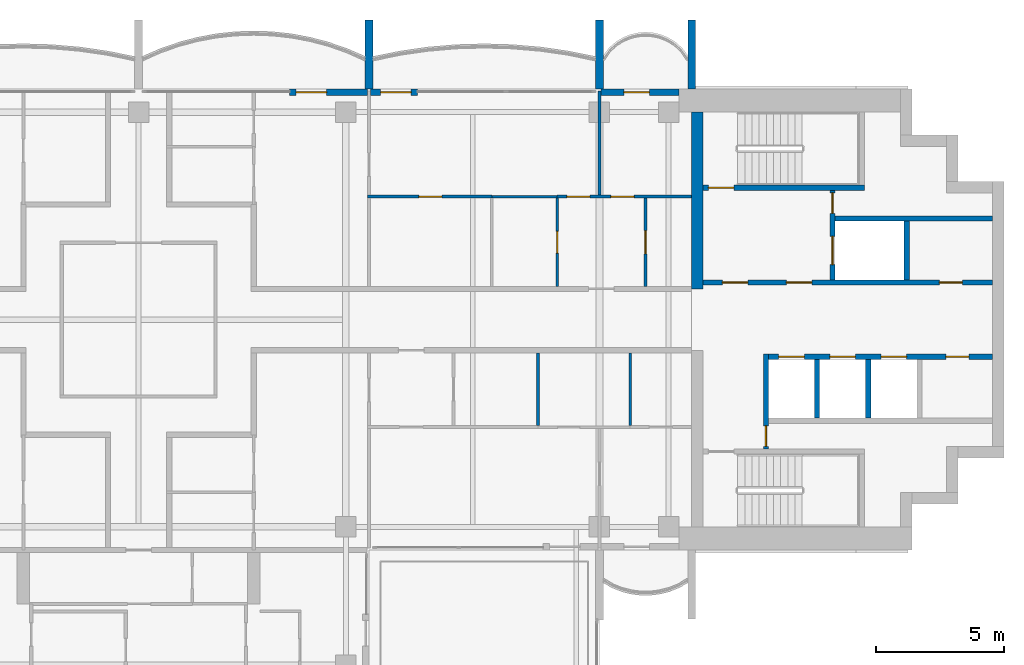
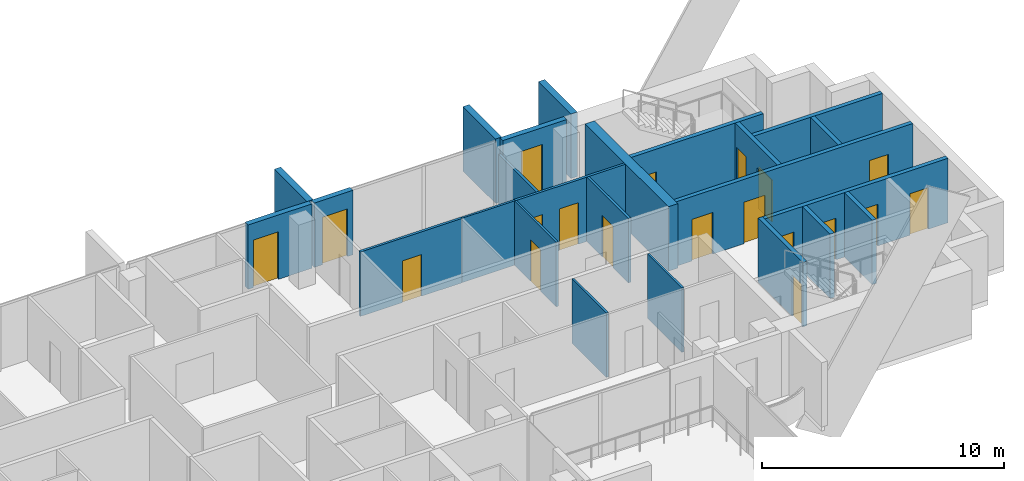
# One storey, part 11 of 16: 24 walls, 19 doors, 19 openings.
"""IFC4 building model written with IfcOpenShell, lengths in metres."""

from ifc_helpers import new_model, si_unit, direction, frame, frame_2d, origin, place, context, subcontext, project, spatial, rectangle, extrude, material, layer, layer_set, type_object, element, fill, save


model = new_model("IFC4")

# Units and contexts
model_context = context("Model", 3, precision=1e-05, world=origin(), true_north=direction((0.0, 1.0)))
body_context = subcontext(model_context, "Body", "Model", "MODEL_VIEW")
ifc_project = project(units=[si_unit("LENGTHUNIT", "METRE"), si_unit("AREAUNIT", "SQUARE_METRE"), si_unit("VOLUMEUNIT", "CUBIC_METRE"), si_unit("PLANEANGLEUNIT", "RADIAN"), si_unit("MASSUNIT", "GRAM", prefix="KILO")], contexts=[model_context])

# Site, building, storey
site_placement = place(None, origin())
site = spatial("IfcSite", under=ifc_project, at=site_placement, CompositionType="ELEMENT")
building_placement = place(site_placement, origin())
building = spatial("IfcBuilding", under=site, at=building_placement, Name="Perihelion Cross Residences", CompositionType="ELEMENT")
storey_placement = place(building_placement, frame((0.0, 0.0, 271.0)))
storey = spatial("IfcBuildingStorey", under=building, at=storey_placement, Name="L69", CompositionType="ELEMENT", Elevation=271.0)

# Wall, opening, door
ifc_material_1 = material(Name="Concrete C30/37, bronze-clad", Category="concrete")
ifc_layer_1 = layer(ifc_material_1, 0.25)
ifc_layer_set_1 = layer_set([ifc_layer_1], Name="Bronze-clad pier wall 250")
wall_type_1 = type_object("IfcWallType", Name="Bronze-clad pier wall 250", PredefinedType="SOLIDWALL", material=ifc_layer_set_1)
wall_1_placement = place(storey_placement, frame((21.10009765625, 8.875, 0.0), z_axis=(0.0, 0.0, 1.0), x_axis=(-1.0, 0.0, 0.0)))
wall_1 = element("IfcWall", 1, at=wall_1_placement, inside=storey, type_object=wall_type_1, Name="Wall FW1 L69 east side north bay 1 pier", PredefinedType="SOLIDWALL", context=body_context, shape_type="SweptSolid", body=[
    extrude(rectangle(XDim=3.0400390625, YDim=0.25, at=frame_2d((1.52001953125, 0.0))), origin(), (0.0, 0.0, 1.0), 3.25),
])
opening_1_placement = place(wall_1_placement, frame((1.14990234375, 0.0, 0.0)))
opening_1 = element("IfcOpeningElement", 2, at=opening_1_placement, cuts=wall_1, Name="Opening L69.E01", PredefinedType="OPENING", context=body_context, shape_type="SweptSolid", body=[
    extrude(rectangle(XDim=1.0, YDim=2.39990234375, at=frame_2d((0.5, 1.199951171875))), frame((0.0, 0.135009765625, 0.0), z_axis=(0.0, -1.0, 0.0), x_axis=(1.0, 0.0, 0.0)), (0.0, 0.0, 1.0), 0.27001953125),
])
ifc_material_2 = material(Name="Bronze anodised aluminium, glazed", Category="aluminium")
door_type_1 = type_object("IfcDoorType", Name="Balcony door 1000 x 2400", OperationType="NOTDEFINED", PredefinedType="DOOR", material=ifc_material_2)
door_1_placement = place(opening_1_placement, origin())
door_1 = element("IfcDoor", 3, at=door_1_placement, inside=storey, type_object=door_type_1, Name="Door L69.E01 east side north bay 1", OperationType="SINGLE_SWING_LEFT", OverallHeight=2.39990234375, OverallWidth=1.0, PredefinedType="DOOR", context=body_context, shape_type="SweptSolid", body=[
    extrude(rectangle(XDim=1.0, YDim=2.39990234375, at=frame_2d((0.5, 1.199951171875))), frame((0.0, 0.02490234375, 0.0), z_axis=(0.0, -1.0, 0.0), x_axis=(1.0, 0.0, 0.0)), (0.0, 0.0, 1.0), 0.050048828125),
])
fill(opening_1, door_1)

wall_2_placement = place(storey_placement, frame((10.89990234375, 8.875, 0.0), z_axis=(0.0, 0.0, 1.0), x_axis=(-1.0, 0.0, 0.0)))
wall_2 = element("IfcWall", 4, at=wall_2_placement, inside=storey, type_object=wall_type_1, Name="Wall FW1 L69 east side north bay 2 pier", PredefinedType="SOLIDWALL", context=body_context, shape_type="SweptSolid", body=[
    extrude(rectangle(XDim=1.83984375, YDim=0.25, at=frame_2d((0.919921875, 0.0))), origin(), (0.0, 0.0, 1.0), 3.25),
])
opening_2_placement = place(wall_2_placement, frame((0.25, 0.0, 0.0)))
opening_2 = element("IfcOpeningElement", 5, at=opening_2_placement, cuts=wall_2, Name="Opening L69.E02", PredefinedType="OPENING", context=body_context, shape_type="SweptSolid", body=[
    extrude(rectangle(XDim=1.199951171875, YDim=2.39990234375, at=frame_2d((0.60009765625, 1.199951171875))), frame((0.0, 0.135009765625, 0.0), z_axis=(0.0, -1.0, 0.0), x_axis=(1.0, 0.0, 0.0)), (0.0, 0.0, 1.0), 0.27001953125),
])
ifc_material_3 = material(Name="Bronze anodised aluminium, glazed", Category="aluminium")
door_type_2 = type_object("IfcDoorType", Name="Balcony door 1200 x 2400", OperationType="NOTDEFINED", PredefinedType="DOOR", material=ifc_material_3)
door_2_placement = place(opening_2_placement, origin())
door_2 = element("IfcDoor", 6, at=door_2_placement, inside=storey, type_object=door_type_2, Name="Door L69.E02 east side north bay 2", OperationType="SINGLE_SWING_RIGHT", OverallHeight=2.39990234375, OverallWidth=1.199951171875, PredefinedType="DOOR", context=body_context, shape_type="SweptSolid", body=[
    extrude(rectangle(XDim=1.199951171875, YDim=2.39990234375, at=frame_2d((0.60009765625, 1.199951171875))), frame((0.0, 0.02490234375, 0.0), z_axis=(0.0, -1.0, 0.0), x_axis=(1.0, 0.0, 0.0)), (0.0, 0.0, 1.0), 0.050048828125),
])
fill(opening_2, door_2)

wall_3_placement = place(storey_placement, frame((8.93994140625, 8.875, 0.0), z_axis=(0.0, 0.0, 1.0), x_axis=(-1.0, 0.0, 0.0)))
wall_3 = element("IfcWall", 7, at=wall_3_placement, inside=storey, type_object=wall_type_1, Name="Wall FW1 L69 north side east bay 1 pier", PredefinedType="SOLIDWALL", context=body_context, shape_type="SweptSolid", body=[
    extrude(rectangle(XDim=3.0400390625, YDim=0.25, at=frame_2d((1.52001953125, 0.0))), origin(), (0.0, 0.0, 1.0), 3.25),
])
opening_3_placement = place(wall_3_placement, frame((1.590087890625, 0.0, 0.0)))
opening_3 = element("IfcOpeningElement", 8, at=opening_3_placement, cuts=wall_3, Name="Opening L69.E03", PredefinedType="OPENING", context=body_context, shape_type="SweptSolid", body=[
    extrude(rectangle(XDim=1.199951171875, YDim=2.39990234375, at=frame_2d((0.60009765625, 1.199951171875))), frame((0.0, 0.135009765625, 0.0), z_axis=(0.0, -1.0, 0.0), x_axis=(1.0, 0.0, 0.0)), (0.0, 0.0, 1.0), 0.27001953125),
])
door_3_placement = place(opening_3_placement, origin())
door_3 = element("IfcDoor", 9, at=door_3_placement, inside=storey, type_object=door_type_2, Name="Door L69.E03 north side east bay 1", OperationType="SINGLE_SWING_LEFT", OverallHeight=2.39990234375, OverallWidth=1.199951171875, PredefinedType="DOOR", context=body_context, shape_type="SweptSolid", body=[
    extrude(rectangle(XDim=1.199951171875, YDim=2.39990234375, at=frame_2d((0.60009765625, 1.199951171875))), frame((0.0, 0.02490234375, 0.0), z_axis=(0.0, -1.0, 0.0), x_axis=(1.0, 0.0, 0.0)), (0.0, 0.0, 1.0), 0.050048828125),
])
fill(opening_3, door_3)

# Wall
ifc_material_4 = material(Name="Concrete C60/75", Category="concrete")
ifc_layer_2 = layer(ifc_material_4, 0.449951171875)
ifc_layer_set_2 = layer_set([ifc_layer_2], Name="Core wall, inner 450")
wall_type_2 = type_object("IfcWallType", Name="Core wall, inner 450", PredefinedType="SHEAR", material=ifc_layer_set_2)
wall_4_placement = place(storey_placement, frame((21.824951171875, 1.199951171875, 0.0), z_axis=(0.0, 0.0, 1.0), x_axis=(0.0, 1.0, 0.0)))
element("IfcWall", 10, at=wall_4_placement, inside=storey, type_object=wall_type_2, Name="East core core wall, inner", PredefinedType="SHEAR", context=body_context, shape_type="SweptSolid", body=[
    extrude(rectangle(XDim=6.900146484375, YDim=0.449951171875, at=frame_2d((3.4501953125, 0.0))), origin(), (0.0, 0.0, 1.0), 3.25),
])

# Wall, opening, door
ifc_material_5 = material(Name="Concrete C50/60", Category="concrete")
ifc_layer_3 = layer(ifc_material_5, 0.199951171875)
ifc_layer_set_3 = layer_set([ifc_layer_3], Name="Lobby wall 200")
wall_type_3 = type_object("IfcWallType", Name="Lobby wall 200", PredefinedType="SOLIDWALL", material=ifc_layer_set_3)
wall_5_placement = place(storey_placement, frame((24.5, -5.050048828125, 0.0), z_axis=(0.0, 0.0, 1.0), x_axis=(0.0, 1.0, 0.0)))
wall_5 = element("IfcWall", 11, at=wall_5_placement, inside=storey, type_object=wall_type_3, Name="East core lobby wall", PredefinedType="SOLIDWALL", context=body_context, shape_type="SweptSolid", body=[
    extrude(rectangle(XDim=3.699951171875, YDim=0.199951171875, at=frame_2d((1.85009765625, 0.0))), origin(), (0.0, 0.0, 1.0), 3.25),
])
opening_4_placement = place(wall_5_placement, frame((0.10009765625, 0.0, 0.0)))
opening_4 = element("IfcOpeningElement", 12, at=opening_4_placement, cuts=wall_5, Name="Opening L69.C08", PredefinedType="OPENING", context=body_context, shape_type="SweptSolid", body=[
    extrude(rectangle(XDim=0.800048828125, YDim=2.10009765625, at=frame_2d((0.39990234375, 1.050048828125))), frame((0.0, 0.10986328125, 0.0), z_axis=(0.0, -1.0, 0.0), x_axis=(1.0, 0.0, 0.0)), (0.0, 0.0, 1.0), 0.219970703125),
])
ifc_material_6 = material(Name="Steel, powder coated", Category="steel")
door_type_3 = type_object("IfcDoorType", Name="Riser door 800", OperationType="SINGLE_SWING_LEFT", PredefinedType="DOOR", material=ifc_material_6)
door_4_placement = place(opening_4_placement, origin())
door_4 = element("IfcDoor", 13, at=door_4_placement, inside=storey, type_object=door_type_3, Name="East core riser door", OperationType="SINGLE_SWING_LEFT", OverallHeight=2.10009765625, OverallWidth=0.800048828125, PredefinedType="DOOR", context=body_context, shape_type="SweptSolid", body=[
    extrude(rectangle(XDim=0.800048828125, YDim=2.10009765625, at=frame_2d((0.39990234375, 1.050048828125))), frame((0.0, 0.02490234375, 0.0), z_axis=(0.0, -1.0, 0.0), x_axis=(1.0, 0.0, 0.0)), (0.0, 0.0, 1.0), 0.050048828125),
])
fill(opening_4, door_4)

ifc_material_7 = material(Name="Plasterboard partition")
ifc_layer_4 = layer(ifc_material_7, 0.1201171875)
ifc_layer_set_4 = layer_set([ifc_layer_4], Name="Partition wall 120")
wall_type_4 = type_object("IfcWallType", Name="Partition wall 120", PredefinedType="PARTITIONING", material=ifc_layer_set_4)
wall_6_placement = place(storey_placement, frame((8.93994140625, 4.800048828125, 0.0), z_axis=(0.0, 0.0, 1.0), x_axis=(1.0, 0.0, 0.0)))
wall_6 = element("IfcWall", 14, at=wall_6_placement, inside=storey, type_object=wall_type_4, Name="Partition L69 W023", PredefinedType="PARTITIONING", context=body_context, shape_type="SweptSolid", body=[
    extrude(rectangle(XDim=4.860107421875, YDim=0.1201171875, at=frame_2d((2.43017578125, 0.0))), origin(), (0.0, 0.0, 1.0), 3.25),
])
opening_5_placement = place(wall_6_placement, frame((2.010009765625, 0.0, 0.0)))
opening_5 = element("IfcOpeningElement", 15, at=opening_5_placement, cuts=wall_6, Name="Opening L69.A05", PredefinedType="OPENING", context=body_context, shape_type="SweptSolid", body=[
    extrude(rectangle(XDim=0.89990234375, YDim=2.10009765625, at=frame_2d((0.449951171875, 1.050048828125))), frame((0.0, 0.070068359375, 0.0), z_axis=(0.0, -1.0, 0.0), x_axis=(1.0, 0.0, 0.0)), (0.0, 0.0, 1.0), 0.14013671875),
])
ifc_material_8 = material(Name="Timber door leaf", Category="wood")
door_type_4 = type_object("IfcDoorType", Name="Interior room door 900 x 2100", OperationType="SINGLE_SWING_LEFT", PredefinedType="DOOR", material=ifc_material_8)
door_5_placement = place(opening_5_placement, origin())
door_5 = element("IfcDoor", 16, at=door_5_placement, inside=storey, type_object=door_type_4, Name="Door L69.A05", OperationType="SINGLE_SWING_RIGHT", OverallHeight=2.10009765625, OverallWidth=0.89990234375, PredefinedType="DOOR", context=body_context, shape_type="SweptSolid", body=[
    extrude(rectangle(XDim=0.89990234375, YDim=2.10009765625, at=frame_2d((0.449951171875, 1.050048828125))), frame((0.0, 0.02490234375, 0.0), z_axis=(0.0, -1.0, 0.0), x_axis=(1.0, 0.0, 0.0)), (0.0, 0.0, 1.0), 0.050048828125),
])
fill(opening_5, door_5)

wall_7_placement = place(storey_placement, frame((19.800048828125, 4.739990234375, 0.0), z_axis=(0.0, 0.0, 1.0), x_axis=(0.0, -1.0, 0.0)))
wall_7 = element("IfcWall", 17, at=wall_7_placement, inside=storey, type_object=wall_type_4, Name="Partition L69 W027", PredefinedType="PARTITIONING", context=body_context, shape_type="SweptSolid", body=[
    extrude(rectangle(XDim=3.43994140625, YDim=0.1201171875, at=frame_2d((1.719970703125, 0.0))), origin(), (0.0, 0.0, 1.0), 3.25),
])
opening_6_placement = place(wall_7_placement, frame((1.27001953125, 0.0, 0.0)))
opening_6 = element("IfcOpeningElement", 18, at=opening_6_placement, cuts=wall_7, Name="Opening L69.A09", PredefinedType="OPENING", context=body_context, shape_type="SweptSolid", body=[
    extrude(rectangle(XDim=0.89990234375, YDim=2.10009765625, at=frame_2d((0.449951171875, 1.050048828125))), frame((0.0, 0.070068359375, 0.0), z_axis=(0.0, -1.0, 0.0), x_axis=(1.0, 0.0, 0.0)), (0.0, 0.0, 1.0), 0.14013671875),
])
door_6_placement = place(opening_6_placement, origin())
door_6 = element("IfcDoor", 19, at=door_6_placement, inside=storey, type_object=door_type_4, Name="Door L69.A09", OperationType="SINGLE_SWING_RIGHT", OverallHeight=2.10009765625, OverallWidth=0.89990234375, PredefinedType="DOOR", context=body_context, shape_type="SweptSolid", body=[
    extrude(rectangle(XDim=0.89990234375, YDim=2.10009765625, at=frame_2d((0.449951171875, 1.050048828125))), frame((0.0, 0.02490234375, 0.0), z_axis=(0.0, -1.0, 0.0), x_axis=(1.0, 0.0, 0.0)), (0.0, 0.0, 1.0), 0.050048828125),
])
fill(opening_6, door_6)

# Wall, openings, doors
wall_8_placement = place(storey_placement, frame((16.35009765625, 4.800048828125, 0.0), z_axis=(0.0, 0.0, 1.0), x_axis=(1.0, 0.0, 0.0)))
wall_8 = element("IfcWall", 20, at=wall_8_placement, inside=storey, type_object=wall_type_4, Name="Partition L69 W028", PredefinedType="PARTITIONING", context=body_context, shape_type="SweptSolid", body=[
    extrude(rectangle(XDim=5.25, YDim=0.1201171875, at=frame_2d((2.625, 0.0))), origin(), (0.0, 0.0, 1.0), 3.25),
])
opening_7_placement = place(wall_8_placement, frame((2.10009765625, 0.0, 0.0)))
opening_7 = element("IfcOpeningElement", 21, at=opening_7_placement, cuts=wall_8, Name="Opening L69.A07", PredefinedType="OPENING", context=body_context, shape_type="SweptSolid", body=[
    extrude(rectangle(XDim=0.89990234375, YDim=2.10009765625, at=frame_2d((0.449951171875, 1.050048828125))), frame((0.0, 0.070068359375, 0.0), z_axis=(0.0, -1.0, 0.0), x_axis=(1.0, 0.0, 0.0)), (0.0, 0.0, 1.0), 0.14013671875),
])
opening_8_placement = place(wall_8_placement, frame((0.375, 0.0, 0.0)))
opening_8 = element("IfcOpeningElement", 22, at=opening_8_placement, cuts=wall_8, Name="Opening L69.A08", PredefinedType="OPENING", context=body_context, shape_type="SweptSolid", body=[
    extrude(rectangle(XDim=0.89990234375, YDim=2.10009765625, at=frame_2d((0.449951171875, 1.050048828125))), frame((0.0, 0.070068359375, 0.0), z_axis=(0.0, -1.0, 0.0), x_axis=(1.0, 0.0, 0.0)), (0.0, 0.0, 1.0), 0.14013671875),
])
door_7_placement = place(opening_7_placement, origin())
door_7 = element("IfcDoor", 23, at=door_7_placement, inside=storey, type_object=door_type_4, Name="Door L69.A07", OperationType="SINGLE_SWING_LEFT", OverallHeight=2.10009765625, OverallWidth=0.89990234375, PredefinedType="DOOR", context=body_context, shape_type="SweptSolid", body=[
    extrude(rectangle(XDim=0.89990234375, YDim=2.10009765625, at=frame_2d((0.449951171875, 1.050048828125))), frame((0.0, 0.02490234375, 0.0), z_axis=(0.0, -1.0, 0.0), x_axis=(1.0, 0.0, 0.0)), (0.0, 0.0, 1.0), 0.050048828125),
])
fill(opening_7, door_7)
door_8_placement = place(opening_8_placement, origin())
door_8 = element("IfcDoor", 24, at=door_8_placement, inside=storey, type_object=door_type_4, Name="Door L69.A08", OperationType="SINGLE_SWING_RIGHT", OverallHeight=2.10009765625, OverallWidth=0.89990234375, PredefinedType="DOOR", context=body_context, shape_type="SweptSolid", body=[
    extrude(rectangle(XDim=0.89990234375, YDim=2.10009765625, at=frame_2d((0.449951171875, 1.050048828125))), frame((0.0, 0.02490234375, 0.0), z_axis=(0.0, -1.0, 0.0), x_axis=(1.0, 0.0, 0.0)), (0.0, 0.0, 1.0), 0.050048828125),
])
fill(opening_8, door_8)

# Walls
wall_9_placement = place(storey_placement, frame((18.0, 8.919921875, 0.0), z_axis=(0.0, 0.0, 1.0), x_axis=(0.0, -1.0, 0.0)))
element("IfcWall", 25, at=wall_9_placement, inside=storey, type_object=wall_type_4, Name="Partition L69 W029", PredefinedType="PARTITIONING", context=body_context, shape_type="SweptSolid", body=[
    extrude(rectangle(XDim=4.059814453125, YDim=0.1201171875, at=frame_2d((2.02978515625, 0.0))), origin(), (0.0, 0.0, 1.0), 2.49609375),
])
ifc_material_9 = material(Name="Precast concrete C50/60", Category="concrete")
ifc_layer_5 = layer(ifc_material_9, 0.300048828125)
ifc_layer_set_5 = layer_set([ifc_layer_5], Name="Precast concrete C50/60 blade wall 300")
wall_type_5 = type_object("IfcWallType", Name="Precast concrete C50/60 blade wall 300", PredefinedType="SOLIDWALL", material=ifc_layer_set_5)
for number, where, z_axis, x_axis, name in (
    (26, (9.0, 9.0, 0.0), (0.0, 0.0, 1.0), (0.0, 1.0, 0.0), "Wall BL1 L69 no. 16"),
    (27, (18.0, 9.0, 0.0), (0.0, 0.0, 1.0), (0.0, 1.0, 0.0), "Wall BL1 L69 no. 11"),
    (28, (21.60009765625, 9.0, 0.0), (0.0, 0.0, 1.0), (0.0, 1.0, 0.0), "Wall BL1 L69 no. 13"),
):
    element("IfcWall", number, at=place(storey_placement, frame(where, z_axis=z_axis, x_axis=x_axis)), inside=storey, type_object=wall_type_5, Name=name, PredefinedType="SOLIDWALL", context=body_context, shape_type="SweptSolid", body=[
        extrude(rectangle(XDim=2.699951171875, YDim=0.300048828125, at=frame_2d((1.35009765625, 0.0))), origin(), (0.0, 0.0, 1.0), 3.25),
    ])

# Wall, openings, doors
ifc_material_10 = material(Name="Concrete C50/60", Category="concrete")
ifc_layer_6 = layer(ifc_material_10, 0.199951171875)
ifc_layer_set_6 = layer_set([ifc_layer_6], Name="Shaft wall 200")
wall_type_6 = type_object("IfcWallType", Name="Shaft wall 200", PredefinedType="SOLIDWALL", material=ifc_layer_set_6)
wall_10_placement = place(storey_placement, frame((22.050048828125, 1.449951171875, 0.0), z_axis=(0.0, 0.0, 1.0), x_axis=(1.0, 0.0, 0.0)))
wall_10 = element("IfcWall", 29, at=wall_10_placement, inside=storey, type_object=wall_type_6, Name="East core shaft wall", PredefinedType="SOLIDWALL", context=body_context, shape_type="SweptSolid", body=[
    extrude(rectangle(XDim=11.300048828125, YDim=0.199951171875, at=frame_2d((5.64990234375, 0.0))), origin(), (0.0, 0.0, 1.0), 3.25),
])
opening_9_placement = place(wall_10_placement, frame((0.75, 0.0, 0.0)))
opening_9 = element("IfcOpeningElement", 30, at=opening_9_placement, cuts=wall_10, Name="Opening L69.C07", PredefinedType="OPENING", context=body_context, shape_type="SweptSolid", body=[
    extrude(rectangle(XDim=1.0, YDim=2.10009765625, at=frame_2d((0.5, 1.050048828125))), frame((0.0, 0.10986328125, 0.0), z_axis=(0.0, -1.0, 0.0), x_axis=(1.0, 0.0, 0.0)), (0.0, 0.0, 1.0), 0.219970703125),
])
opening_10_placement = place(wall_10_placement, frame((3.25, 0.0, 0.0)))
opening_10 = element("IfcOpeningElement", 31, at=opening_10_placement, cuts=wall_10, Name="Opening L69.C09", PredefinedType="OPENING", context=body_context, shape_type="SweptSolid", body=[
    extrude(rectangle(XDim=1.0, YDim=2.10009765625, at=frame_2d((0.5, 1.050048828125))), frame((0.0, 0.10986328125, 0.0), z_axis=(0.0, -1.0, 0.0), x_axis=(1.0, 0.0, 0.0)), (0.0, 0.0, 1.0), 0.219970703125),
])
opening_11_placement = place(wall_10_placement, frame((9.22509765625, 0.0, 0.0)))
opening_11 = element("IfcOpeningElement", 32, at=opening_11_placement, cuts=wall_10, Name="Opening L69.C11", PredefinedType="OPENING", context=body_context, shape_type="SweptSolid", body=[
    extrude(rectangle(XDim=0.89990234375, YDim=2.10009765625, at=frame_2d((0.449951171875, 1.050048828125))), frame((0.0, 0.10986328125, 0.0), z_axis=(0.0, -1.0, 0.0), x_axis=(1.0, 0.0, 0.0)), (0.0, 0.0, 1.0), 0.219970703125),
])
ifc_material_11 = material(Name="Steel, powder coated", Category="steel")
door_type_5 = type_object("IfcDoorType", Name="Lobby door 1000", OperationType="SINGLE_SWING_LEFT", PredefinedType="DOOR", material=ifc_material_11)
door_9_placement = place(opening_9_placement, origin())
door_9 = element("IfcDoor", 33, at=door_9_placement, inside=storey, type_object=door_type_5, Name="East core firefighting lobby door", OperationType="SINGLE_SWING_LEFT", OverallHeight=2.10009765625, OverallWidth=1.0, PredefinedType="DOOR", context=body_context, shape_type="SweptSolid", body=[
    extrude(rectangle(XDim=1.0, YDim=2.10009765625, at=frame_2d((0.5, 1.050048828125))), frame((0.0, 0.02490234375, 0.0), z_axis=(0.0, -1.0, 0.0), x_axis=(1.0, 0.0, 0.0)), (0.0, 0.0, 1.0), 0.050048828125),
])
fill(opening_9, door_9)
door_10_placement = place(opening_10_placement, origin())
door_10 = element("IfcDoor", 34, at=door_10_placement, inside=storey, type_object=door_type_5, Name="East core firefighting lobby door", OperationType="SINGLE_SWING_LEFT", OverallHeight=2.10009765625, OverallWidth=1.0, PredefinedType="DOOR", context=body_context, shape_type="SweptSolid", body=[
    extrude(rectangle(XDim=1.0, YDim=2.10009765625, at=frame_2d((0.5, 1.050048828125))), frame((0.0, 0.02490234375, 0.0), z_axis=(0.0, -1.0, 0.0), x_axis=(1.0, 0.0, 0.0)), (0.0, 0.0, 1.0), 0.050048828125),
])
fill(opening_10, door_10)
ifc_material_12 = material(Name="Steel, powder coated", Category="steel")
door_type_6 = type_object("IfcDoorType", Name="Service room door 900", OperationType="SINGLE_SWING_LEFT", PredefinedType="DOOR", material=ifc_material_12)
door_11_placement = place(opening_11_placement, origin())
door_11 = element("IfcDoor", 35, at=door_11_placement, inside=storey, type_object=door_type_6, Name="East core service room door", OperationType="SINGLE_SWING_LEFT", OverallHeight=2.10009765625, OverallWidth=0.89990234375, PredefinedType="DOOR", context=body_context, shape_type="SweptSolid", body=[
    extrude(rectangle(XDim=0.89990234375, YDim=2.10009765625, at=frame_2d((0.449951171875, 1.050048828125))), frame((0.0, 0.02490234375, 0.0), z_axis=(0.0, -1.0, 0.0), x_axis=(1.0, 0.0, 0.0)), (0.0, 0.0, 1.0), 0.050048828125),
])
fill(opening_11, door_11)

wall_11_placement = place(storey_placement, frame((24.60009765625, -1.449951171875, 0.0), z_axis=(0.0, 0.0, 1.0), x_axis=(1.0, 0.0, 0.0)))
wall_11 = element("IfcWall", 36, at=wall_11_placement, inside=storey, type_object=wall_type_6, Name="East core shaft wall", PredefinedType="SOLIDWALL", context=body_context, shape_type="SweptSolid", body=[
    extrude(rectangle(XDim=8.75, YDim=0.199951171875, at=frame_2d((4.375, 0.0))), origin(), (0.0, 0.0, 1.0), 3.25),
])
opening_12_placement = place(wall_11_placement, frame((0.39990234375, 0.0, 0.0)))
opening_12 = element("IfcOpeningElement", 37, at=opening_12_placement, cuts=wall_11, Name="Opening L69.C01", PredefinedType="OPENING", context=body_context, shape_type="SweptSolid", body=[
    extrude(rectangle(XDim=1.0, YDim=2.10009765625, at=frame_2d((0.5, 1.050048828125))), frame((0.0, 0.10986328125, 0.0), z_axis=(0.0, -1.0, 0.0), x_axis=(1.0, 0.0, 0.0)), (0.0, 0.0, 1.0), 0.219970703125),
])
opening_13_placement = place(wall_11_placement, frame((2.39990234375, 0.0, 0.0)))
opening_13 = element("IfcOpeningElement", 38, at=opening_13_placement, cuts=wall_11, Name="Opening L69.C03", PredefinedType="OPENING", context=body_context, shape_type="SweptSolid", body=[
    extrude(rectangle(XDim=1.0, YDim=2.10009765625, at=frame_2d((0.5, 1.050048828125))), frame((0.0, 0.10986328125, 0.0), z_axis=(0.0, -1.0, 0.0), x_axis=(1.0, 0.0, 0.0)), (0.0, 0.0, 1.0), 0.219970703125),
])
opening_14_placement = place(wall_11_placement, frame((4.39990234375, 0.0, 0.0)))
opening_14 = element("IfcOpeningElement", 39, at=opening_14_placement, cuts=wall_11, Name="Opening L69.C04", PredefinedType="OPENING", context=body_context, shape_type="SweptSolid", body=[
    extrude(rectangle(XDim=1.0, YDim=2.10009765625, at=frame_2d((0.5, 1.050048828125))), frame((0.0, 0.10986328125, 0.0), z_axis=(0.0, -1.0, 0.0), x_axis=(1.0, 0.0, 0.0)), (0.0, 0.0, 1.0), 0.219970703125),
])
opening_15_placement = place(wall_11_placement, frame((6.925048828125, 0.0, 0.0)))
opening_15 = element("IfcOpeningElement", 40, at=opening_15_placement, cuts=wall_11, Name="Opening L69.C12", PredefinedType="OPENING", context=body_context, shape_type="SweptSolid", body=[
    extrude(rectangle(XDim=0.89990234375, YDim=2.10009765625, at=frame_2d((0.449951171875, 1.050048828125))), frame((0.0, 0.10986328125, 0.0), z_axis=(0.0, -1.0, 0.0), x_axis=(1.0, 0.0, 0.0)), (0.0, 0.0, 1.0), 0.219970703125),
])
ifc_material_13 = material(Name="Stainless steel", Category="steel")
door_type_7 = type_object("IfcDoorType", Name="Landing door 1000", OperationType="DOUBLE_DOOR_SLIDING", PredefinedType="DOOR", material=ifc_material_13)
door_12_placement = place(opening_12_placement, origin())
door_12 = element("IfcDoor", 41, at=door_12_placement, inside=storey, type_object=door_type_7, Name="Landing door, East core high-rise lift 1", OperationType="DOUBLE_DOOR_SLIDING", OverallHeight=2.10009765625, OverallWidth=1.0, PredefinedType="DOOR", context=body_context, shape_type="SweptSolid", body=[
    extrude(rectangle(XDim=1.0, YDim=2.10009765625, at=frame_2d((0.5, 1.050048828125))), frame((0.0, 0.02490234375, 0.0), z_axis=(0.0, -1.0, 0.0), x_axis=(1.0, 0.0, 0.0)), (0.0, 0.0, 1.0), 0.050048828125),
])
fill(opening_12, door_12)
door_13_placement = place(opening_13_placement, origin())
door_13 = element("IfcDoor", 42, at=door_13_placement, inside=storey, type_object=door_type_7, Name="Landing door, East core high-rise lift 2", OperationType="DOUBLE_DOOR_SLIDING", OverallHeight=2.10009765625, OverallWidth=1.0, PredefinedType="DOOR", context=body_context, shape_type="SweptSolid", body=[
    extrude(rectangle(XDim=1.0, YDim=2.10009765625, at=frame_2d((0.5, 1.050048828125))), frame((0.0, 0.02490234375, 0.0), z_axis=(0.0, -1.0, 0.0), x_axis=(1.0, 0.0, 0.0)), (0.0, 0.0, 1.0), 0.050048828125),
])
fill(opening_13, door_13)
door_14_placement = place(opening_14_placement, origin())
door_14 = element("IfcDoor", 43, at=door_14_placement, inside=storey, type_object=door_type_7, Name="Landing door, East core high-rise lift 3", OperationType="DOUBLE_DOOR_SLIDING", OverallHeight=2.10009765625, OverallWidth=1.0, PredefinedType="DOOR", context=body_context, shape_type="SweptSolid", body=[
    extrude(rectangle(XDim=1.0, YDim=2.10009765625, at=frame_2d((0.5, 1.050048828125))), frame((0.0, 0.02490234375, 0.0), z_axis=(0.0, -1.0, 0.0), x_axis=(1.0, 0.0, 0.0)), (0.0, 0.0, 1.0), 0.050048828125),
])
fill(opening_14, door_14)
door_15_placement = place(opening_15_placement, origin())
door_15 = element("IfcDoor", 44, at=door_15_placement, inside=storey, type_object=door_type_6, Name="East core service room door", OperationType="SINGLE_SWING_LEFT", OverallHeight=2.10009765625, OverallWidth=0.89990234375, PredefinedType="DOOR", context=body_context, shape_type="SweptSolid", body=[
    extrude(rectangle(XDim=0.89990234375, YDim=2.10009765625, at=frame_2d((0.449951171875, 1.050048828125))), frame((0.0, 0.02490234375, 0.0), z_axis=(0.0, -1.0, 0.0), x_axis=(1.0, 0.0, 0.0)), (0.0, 0.0, 1.0), 0.050048828125),
])
fill(opening_15, door_15)

# Wall
wall_12_placement = place(storey_placement, frame((27.199951171875, 3.949951171875, 0.0), z_axis=(0.0, 0.0, 1.0), x_axis=(1.0, 0.0, 0.0)))
element("IfcWall", 45, at=wall_12_placement, inside=storey, type_object=wall_type_6, Name="East core shaft wall", PredefinedType="SOLIDWALL", context=body_context, shape_type="SweptSolid", body=[
    extrude(rectangle(XDim=6.150146484375, YDim=0.199951171875, at=frame_2d((3.0751953125, 0.0))), origin(), (0.0, 0.0, 1.0), 3.25),
])

# Wall, openings, doors
wall_13_placement = place(storey_placement, frame((27.10009765625, 1.550048828125, 0.0), z_axis=(0.0, 0.0, 1.0), x_axis=(0.0, 1.0, 0.0)))
wall_13 = element("IfcWall", 46, at=wall_13_placement, inside=storey, type_object=wall_type_6, Name="East core shaft wall", PredefinedType="SOLIDWALL", context=body_context, shape_type="SweptSolid", body=[
    extrude(rectangle(XDim=3.5, YDim=0.199951171875, at=frame_2d((1.75, 0.0))), origin(), (0.0, 0.0, 1.0), 3.25),
])
opening_16_placement = place(wall_13_placement, frame((0.60009765625, 0.0, 0.0)))
opening_16 = element("IfcOpeningElement", 47, at=opening_16_placement, cuts=wall_13, Name="Opening L69.C02", PredefinedType="OPENING", context=body_context, shape_type="SweptSolid", body=[
    extrude(rectangle(XDim=1.10009765625, YDim=2.10009765625, at=frame_2d((0.550048828125, 1.050048828125))), frame((0.0, 0.10986328125, 0.0), z_axis=(0.0, -1.0, 0.0), x_axis=(1.0, 0.0, 0.0)), (0.0, 0.0, 1.0), 0.219970703125),
])
opening_17_placement = place(wall_13_placement, frame((2.60009765625, 0.0, 0.0)))
opening_17 = element("IfcOpeningElement", 48, at=opening_17_placement, cuts=wall_13, Name="Opening L69.C10", PredefinedType="OPENING", context=body_context, shape_type="SweptSolid", body=[
    extrude(rectangle(XDim=0.800048828125, YDim=2.10009765625, at=frame_2d((0.39990234375, 1.050048828125))), frame((0.0, 0.10986328125, 0.0), z_axis=(0.0, -1.0, 0.0), x_axis=(1.0, 0.0, 0.0)), (0.0, 0.0, 1.0), 0.219970703125),
])
ifc_material_14 = material(Name="Stainless steel", Category="steel")
door_type_8 = type_object("IfcDoorType", Name="Landing door, firefighting lift 1100", OperationType="DOUBLE_DOOR_SLIDING", PredefinedType="DOOR", material=ifc_material_14)
door_16_placement = place(opening_16_placement, origin())
door_16 = element("IfcDoor", 49, at=door_16_placement, inside=storey, type_object=door_type_8, Name="Landing door, East core firefighting and service lift", OperationType="DOUBLE_DOOR_SLIDING", OverallHeight=2.10009765625, OverallWidth=1.10009765625, PredefinedType="DOOR", context=body_context, shape_type="SweptSolid", body=[
    extrude(rectangle(XDim=1.10009765625, YDim=2.10009765625, at=frame_2d((0.550048828125, 1.050048828125))), frame((0.0, 0.02490234375, 0.0), z_axis=(0.0, -1.0, 0.0), x_axis=(1.0, 0.0, 0.0)), (0.0, 0.0, 1.0), 0.050048828125),
])
fill(opening_16, door_16)
door_17_placement = place(opening_17_placement, origin())
door_17 = element("IfcDoor", 50, at=door_17_placement, inside=storey, type_object=door_type_3, Name="East core riser door", OperationType="SINGLE_SWING_LEFT", OverallHeight=2.10009765625, OverallWidth=0.800048828125, PredefinedType="DOOR", context=body_context, shape_type="SweptSolid", body=[
    extrude(rectangle(XDim=0.800048828125, YDim=2.10009765625, at=frame_2d((0.39990234375, 1.050048828125))), frame((0.0, 0.02490234375, 0.0), z_axis=(0.0, -1.0, 0.0), x_axis=(1.0, 0.0, 0.0)), (0.0, 0.0, 1.0), 0.050048828125),
])
fill(opening_17, door_17)

# Walls
for number, where, z_axis, x_axis, name in (
    (51, (30.0, 1.550048828125, 0.0), (0.0, 0.0, 1.0), (0.0, 1.0, 0.0), "East core shaft wall"),
    (52, (26.5, -3.85009765625, 0.0), (0.0, 0.0, 1.0), (0.0, 1.0, 0.0), "East core shaft wall"),
    (53, (28.5, -3.85009765625, 0.0), (0.0, 0.0, 1.0), (0.0, 1.0, 0.0), "East core shaft wall"),
):
    element("IfcWall", number, at=place(storey_placement, frame(where, z_axis=z_axis, x_axis=x_axis)), inside=storey, type_object=wall_type_6, Name=name, PredefinedType="SOLIDWALL", context=body_context, shape_type="SweptSolid", body=[
        extrude(rectangle(XDim=2.300048828125, YDim=0.199951171875, at=frame_2d((1.14990234375, 0.0))), origin(), (0.0, 0.0, 1.0), 3.25),
    ])

# Wall, opening, door
ifc_material_15 = material(Name="Concrete C50/60", Category="concrete")
ifc_layer_7 = layer(ifc_material_15, 0.199951171875)
ifc_layer_set_7 = layer_set([ifc_layer_7], Name="Stair wall 200")
wall_type_7 = type_object("IfcWallType", Name="Stair wall 200", PredefinedType="SOLIDWALL", material=ifc_layer_set_7)
wall_14_placement = place(storey_placement, frame((22.050048828125, 5.14990234375, 0.0), z_axis=(0.0, 0.0, 1.0), x_axis=(1.0, 0.0, 0.0)))
wall_14 = element("IfcWall", 54, at=wall_14_placement, inside=storey, type_object=wall_type_7, Name="East core stair wall", PredefinedType="SOLIDWALL", context=body_context, shape_type="SweptSolid", body=[
    extrude(rectangle(XDim=6.300048828125, YDim=0.199951171875, at=frame_2d((3.14990234375, 0.0))), origin(), (0.0, 0.0, 1.0), 3.25),
])
opening_18_placement = place(wall_14_placement, frame((0.199951171875, 0.0, 0.0)))
opening_18 = element("IfcOpeningElement", 55, at=opening_18_placement, cuts=wall_14, Name="Opening L69.C06", PredefinedType="OPENING", context=body_context, shape_type="SweptSolid", body=[
    extrude(rectangle(XDim=1.0, YDim=2.10009765625, at=frame_2d((0.5, 1.050048828125))), frame((0.0, 0.10986328125, 0.0), z_axis=(0.0, -1.0, 0.0), x_axis=(1.0, 0.0, 0.0)), (0.0, 0.0, 1.0), 0.219970703125),
])
ifc_material_16 = material(Name="Steel, powder coated", Category="steel")
door_type_9 = type_object("IfcDoorType", Name="Stair door 1000", OperationType="SINGLE_SWING_LEFT", PredefinedType="DOOR", material=ifc_material_16)
door_18_placement = place(opening_18_placement, origin())
door_18 = element("IfcDoor", 56, at=door_18_placement, inside=storey, type_object=door_type_9, Name="East core stair door", OperationType="SINGLE_SWING_LEFT", OverallHeight=2.10009765625, OverallWidth=1.0, PredefinedType="DOOR", context=body_context, shape_type="SweptSolid", body=[
    extrude(rectangle(XDim=1.0, YDim=2.10009765625, at=frame_2d((0.5, 1.050048828125))), frame((0.0, 0.02490234375, 0.0), z_axis=(0.0, -1.0, 0.0), x_axis=(1.0, 0.0, 0.0)), (0.0, 0.0, 1.0), 0.050048828125),
])
fill(opening_18, door_18)

ifc_material_17 = material(Name="Plasterboard partition")
ifc_layer_8 = layer(ifc_material_17, 0.10009765625)
ifc_layer_set_8 = layer_set([ifc_layer_8], Name="Wet room wall 100")
wall_type_8 = type_object("IfcWallType", Name="Wet room wall 100", PredefinedType="PARTITIONING", material=ifc_layer_set_8)
wall_15_placement = place(storey_placement, frame((16.35009765625, 4.739990234375, 0.0), z_axis=(0.0, 0.0, 1.0), x_axis=(0.0, -1.0, 0.0)))
wall_15 = element("IfcWall", 57, at=wall_15_placement, inside=storey, type_object=wall_type_8, Name="Partition L69 W025", PredefinedType="PARTITIONING", context=body_context, shape_type="SweptSolid", body=[
    extrude(rectangle(XDim=3.43994140625, YDim=0.10009765625, at=frame_2d((1.719970703125, 0.0))), origin(), (0.0, 0.0, 1.0), 3.25),
])
opening_19_placement = place(wall_15_placement, frame((1.294921875, 0.0, 0.0)))
opening_19 = element("IfcOpeningElement", 58, at=opening_19_placement, cuts=wall_15, Name="Opening L69.A02", PredefinedType="OPENING", context=body_context, shape_type="SweptSolid", body=[
    extrude(rectangle(XDim=0.85009765625, YDim=2.10009765625, at=frame_2d((0.425048828125, 1.050048828125))), frame((0.0, 0.06005859375, 0.0), z_axis=(0.0, -1.0, 0.0), x_axis=(1.0, 0.0, 0.0)), (0.0, 0.0, 1.0), 0.1201171875),
])
ifc_material_18 = material(Name="Timber door leaf", Category="wood")
door_type_10 = type_object("IfcDoorType", Name="Interior bathroom door 850 x 2100", OperationType="SINGLE_SWING_LEFT", PredefinedType="DOOR", material=ifc_material_18)
door_19_placement = place(opening_19_placement, origin())
door_19 = element("IfcDoor", 59, at=door_19_placement, inside=storey, type_object=door_type_10, Name="Door L69.A02", OperationType="SINGLE_SWING_RIGHT", OverallHeight=2.10009765625, OverallWidth=0.85009765625, PredefinedType="DOOR", context=body_context, shape_type="SweptSolid", body=[
    extrude(rectangle(XDim=0.85009765625, YDim=2.10009765625, at=frame_2d((0.425048828125, 1.050048828125))), frame((0.0, 0.02490234375, 0.0), z_axis=(0.0, -1.0, 0.0), x_axis=(1.0, 0.0, 0.0)), (0.0, 0.0, 1.0), 0.050048828125),
])
fill(opening_19, door_19)

# Walls
wall_16_placement = place(storey_placement, frame((13.800048828125, 4.800048828125, 0.0), z_axis=(0.0, 0.0, 1.0), x_axis=(1.0, 0.0, 0.0)))
element("IfcWall", 60, at=wall_16_placement, inside=storey, type_object=wall_type_8, Name="Partition L69 W026", PredefinedType="PARTITIONING", context=body_context, shape_type="SweptSolid", body=[
    extrude(rectangle(XDim=2.550048828125, YDim=0.10009765625, at=frame_2d((1.27490234375, 0.0))), origin(), (0.0, 0.0, 1.0), 3.25),
])
for number, where, z_axis, x_axis, name in (
    (61, (15.60009765625, -1.300048828125, 0.0), (0.0, 0.0, 1.0), (0.0, -1.0, 0.0), "Partition L69 W036"),
    (62, (19.199951171875, -1.300048828125, 0.0), (0.0, 0.0, 1.0), (0.0, -1.0, 0.0), "Partition L69 W037"),
):
    element("IfcWall", number, at=place(storey_placement, frame(where, z_axis=z_axis, x_axis=x_axis)), inside=storey, type_object=wall_type_8, Name=name, PredefinedType="PARTITIONING", context=body_context, shape_type="SweptSolid", body=[
        extrude(rectangle(XDim=2.83984375, YDim=0.10009765625, at=frame_2d((1.419921875, 0.0))), origin(), (0.0, 0.0, 1.0), 3.25),
    ])

save(model, "model.ifc")
